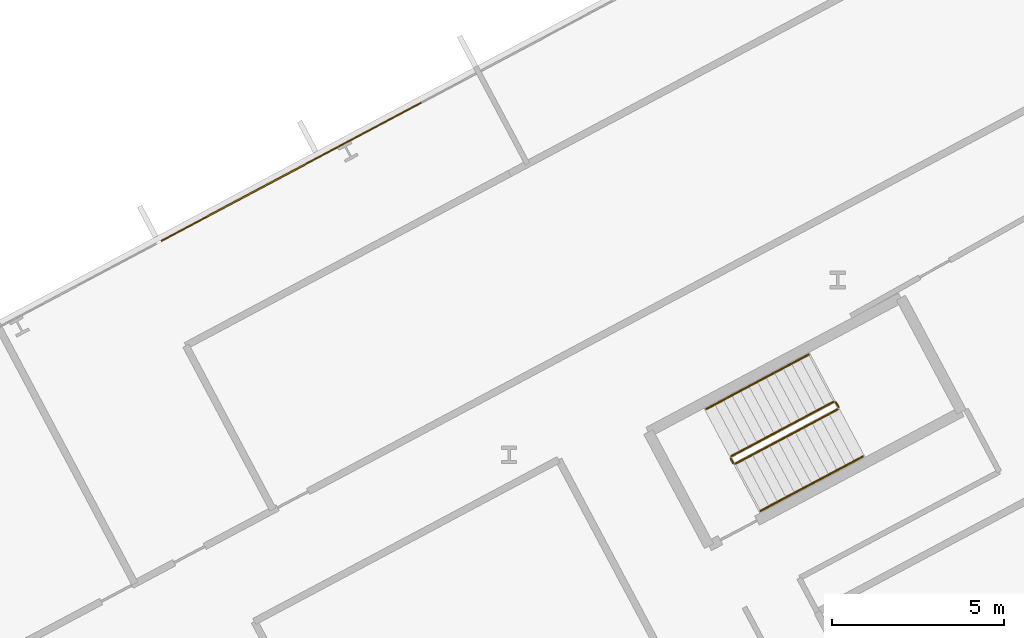
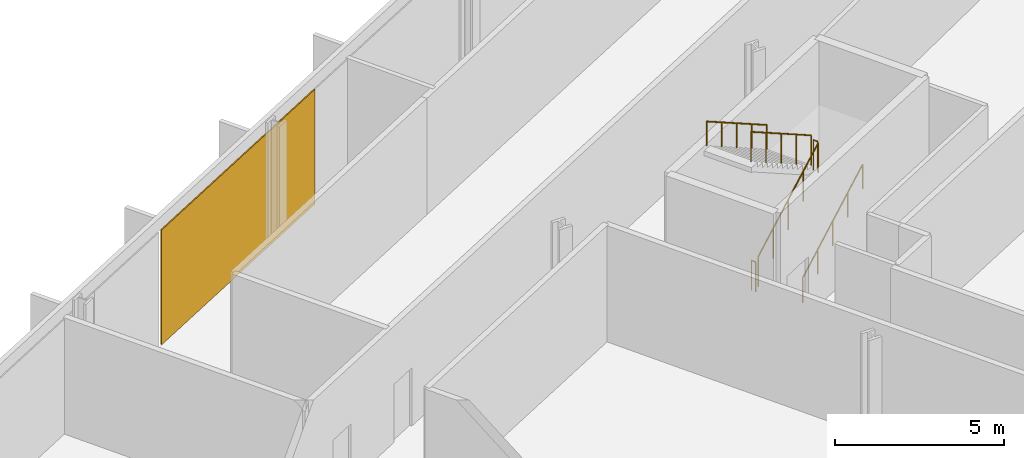
# One storey, part 30 of 31: 6 railings, 1 covering, 1 element without a shape of its own.
"""IFC4 building model written with IfcOpenShell, lengths in metres."""

from ifc_helpers import new_model, si_unit, direction, frame, origin, origin_2d, place, context, subcontext, project, spatial, polyline, rectangle, outline, extrude, material, layer, layer_set, type_object, element, aggregate, save


model = new_model("IFC4")

# Units and contexts
model_context = context("Model", 3, precision=1e-05, world=origin(), true_north=direction((0.0, 1.0)))
body_context = subcontext(model_context, "Body", "Model", "MODEL_VIEW")
ifc_project = project(units=[si_unit("LENGTHUNIT", "METRE"), si_unit("AREAUNIT", "SQUARE_METRE"), si_unit("VOLUMEUNIT", "CUBIC_METRE"), si_unit("PLANEANGLEUNIT", "RADIAN"), si_unit("MASSUNIT", "GRAM", prefix="KILO")], contexts=[model_context])

# Site, building, storey
site_placement = place(None, origin())
site = spatial("IfcSite", under=ifc_project, at=site_placement, CompositionType="ELEMENT")
building_placement = place(site_placement, origin())
building = spatial("IfcBuilding", under=site, at=building_placement, Name="Cormorant Relay Tower", CompositionType="ELEMENT")
storey_placement = place(building_placement, frame((0.0, 0.0, 98.39990234375)))
storey = spatial("IfcBuildingStorey", under=building, at=storey_placement, Name="L19", CompositionType="ELEMENT", Elevation=98.39990234375)

# Curtain wall, covering
ifc_material_1 = material(Name="Aluminium 6063-T6 anodised bronze", Category="aluminium")
ifc_layer_1 = layer(ifc_material_1, 0.199951171875)
ifc_layer_set_1 = layer_set([ifc_layer_1], Name="CW1 unitised bronze curtain wall with vertical fins")
curtain_wall_type = type_object("IfcCurtainWallType", Name="CW1 unitised bronze curtain wall with vertical fins", PredefinedType="NOTDEFINED", material=ifc_layer_set_1)
curtain_wall_placement = place(storey_placement, origin())
curtain_wall = element("IfcCurtainWall", 1, at=curtain_wall_placement, inside=storey, type_object=curtain_wall_type, Name="CW1 curtain wall 6", PredefinedType="NOTDEFINED")
ifc_material_2 = material(Name="Pale bronze anodised aluminium insulated panel", Category="aluminium")
ifc_layer_2 = layer(ifc_material_2, 0.0400390625)
ifc_layer_set_2 = layer_set([ifc_layer_2], Name="CW1 pale bronze insulated panel 40")
covering_type = type_object("IfcCoveringType", Name="CW1 pale bronze insulated panel 40", PredefinedType="CLADDING", material=ifc_layer_set_2)
covering_placement = place(storey_placement, frame((31.69140625, 40.6572265625, 0.000244140625), z_axis=(0.0, 0.0, 1.0), x_axis=(-0.882947592859, -0.469471562786, 0.0)))
covering = element("IfcCovering", 2, at=covering_placement, type_object=covering_type, Name="CW1 panel S04", PredefinedType="CLADDING", context=body_context, shape_type="SweptSolid", body=[
    extrude(rectangle(XDim=8.565185546875, YDim=0.0400390625, at=origin_2d()), origin(), (0.0, 0.0, 1.0), 4.14990234375),
])
aggregate(curtain_wall, [covering])

# Railings
ifc_material_3 = material(Name="Steel ASTM A572 Grade 50 (Fy 345 MPa)", Category="steel")
railing_type_1 = type_object("IfcRailingType", Name="Stair guard 1100", PredefinedType="GUARDRAIL", material=ifc_material_3)
railing_1_placement = place(storey_placement, frame((44.583740234375, 32.186279296875, 0.177001953125)))
element("IfcRailing", 3, at=railing_1_placement, inside=storey, type_object=railing_type_1, Name="L19 RB1 stair guard 1", PredefinedType="GUARDRAIL", context=body_context, shape_type="SweptSolid", body=[
    extrude(outline(polyline([(0.022216796875, 0.00927734375), (0.00927734375, 0.022216796875), (-0.00927734375, 0.022216796875), (-0.022216796875, 0.00927734375), (-0.022216796875, -0.00927734375), (-0.00927734375, -0.022216796875), (0.00927734375, -0.022216796875), (0.022216796875, -0.00927734375), (0.022216796875, 0.00927734375)])), frame((0.0, 0.0, 1.076171875), z_axis=(0.746422470992, 0.396920836698, 0.534141689248), x_axis=(-0.469509342547, 0.882927503967, 0.0)), (0.0, 0.0, 1.0), 3.974609375),
    extrude(outline(polyline([(0.019287109375, 0.008056640625), (0.008056640625, 0.019287109375), (-0.008056640625, 0.019287109375), (-0.019287109375, 0.008056640625), (-0.019287109375, -0.008056640625), (-0.008056640625, -0.019287109375), (0.008056640625, -0.019287109375), (0.019287109375, -0.008056640625), (0.019287109375, 0.008056640625)])), origin(), (0.0, 0.0, 1.0), 1.052001953125),
    extrude(outline(polyline([(0.019287109375, 0.008056640625), (0.008056640625, 0.019287109375), (-0.008056640625, 0.019287109375), (-0.019287109375, 0.008056640625), (-0.019287109375, -0.008056640625), (-0.008056640625, -0.019287109375), (0.008056640625, -0.019287109375), (0.019287109375, -0.008056640625), (0.019287109375, 0.008056640625)])), frame((0.74169921875, 0.39453125, 0.53076171875)), (0.0, 0.0, 1.0), 1.052001953125),
    extrude(outline(polyline([(0.019287109375, 0.008056640625), (0.008056640625, 0.019287109375), (-0.008056640625, 0.019287109375), (-0.019287109375, 0.008056640625), (-0.019287109375, -0.008056640625), (-0.008056640625, -0.019287109375), (0.008056640625, -0.019287109375), (0.019287109375, -0.008056640625), (0.019287109375, 0.008056640625)])), frame((1.4833984375, 0.788818359375, 1.0615234375)), (0.0, 0.0, 1.0), 1.052001953125),
    extrude(outline(polyline([(0.019287109375, 0.008056640625), (0.008056640625, 0.019287109375), (-0.008056640625, 0.019287109375), (-0.019287109375, 0.008056640625), (-0.019287109375, -0.008056640625), (-0.008056640625, -0.019287109375), (0.008056640625, -0.019287109375), (0.019287109375, -0.008056640625), (0.019287109375, 0.008056640625)])), frame((2.22509765625, 1.18310546875, 1.59228515625)), (0.0, 0.0, 1.0), 1.052001953125),
    extrude(outline(polyline([(0.019287109375, 0.008056640625), (0.008056640625, 0.019287109375), (-0.008056640625, 0.019287109375), (-0.019287109375, 0.008056640625), (-0.019287109375, -0.008056640625), (-0.008056640625, -0.019287109375), (0.008056640625, -0.019287109375), (0.019287109375, -0.008056640625), (0.019287109375, 0.008056640625)])), frame((2.966796875, 1.57763671875, 2.123046875)), (0.0, 0.0, 1.0), 1.052001953125),
])
railing_2_placement = place(storey_placement, frame((47.571044921875, 33.831298828125, 2.300048828125)))
element("IfcRailing", 4, at=railing_2_placement, inside=storey, type_object=railing_type_1, Name="L19 RB1 stair guard 2", PredefinedType="GUARDRAIL", context=body_context, shape_type="SweptSolid", body=[
    extrude(outline(polyline([(0.022216796875, 0.00927734375), (0.00927734375, 0.022216796875), (-0.00927734375, 0.022216796875), (-0.022216796875, 0.00927734375), (-0.022216796875, -0.00927734375), (-0.00927734375, -0.022216796875), (0.00927734375, -0.022216796875), (0.022216796875, -0.00927734375), (0.022216796875, 0.00927734375)])), frame((0.0, 0.0, 1.076171875), z_axis=(-0.46856034887, 0.8834314911, 0.0), x_axis=(-0.8834314911, -0.46856034887, 0.0)), (0.0, 0.0, 1.0), 0.150146484375),
    extrude(outline(polyline([(0.019287109375, 0.008056640625), (0.008056640625, 0.019287109375), (-0.008056640625, 0.019287109375), (-0.019287109375, 0.008056640625), (-0.019287109375, -0.008056640625), (-0.008056640625, -0.019287109375), (0.008056640625, -0.019287109375), (0.019287109375, -0.008056640625), (0.019287109375, 0.008056640625)])), origin(), (0.0, 0.0, 1.0), 1.052001953125),
    extrude(outline(polyline([(0.019287109375, 0.008056640625), (0.008056640625, 0.019287109375), (-0.008056640625, 0.019287109375), (-0.019287109375, 0.008056640625), (-0.019287109375, -0.008056640625), (-0.008056640625, -0.019287109375), (0.008056640625, -0.019287109375), (0.019287109375, -0.008056640625), (0.019287109375, 0.008056640625)])), frame((-0.0703125, 0.132568359375, 0.0)), (0.0, 0.0, 1.0), 1.052001953125),
])
railing_3_placement = place(storey_placement, frame((47.43310546875, 33.984619140625, 2.47705078125)))
element("IfcRailing", 5, at=railing_3_placement, inside=storey, type_object=railing_type_1, Name="L19 RB1 stair guard 3", PredefinedType="GUARDRAIL", context=body_context, shape_type="SweptSolid", body=[
    extrude(outline(polyline([(0.022216796875, 0.00927734375), (0.00927734375, 0.022216796875), (-0.00927734375, 0.022216796875), (-0.022216796875, 0.00927734375), (-0.022216796875, -0.00927734375), (-0.00927734375, -0.022216796875), (0.00927734375, -0.022216796875), (0.022216796875, -0.00927734375), (0.022216796875, 0.00927734375)])), frame((0.0, 0.0, 1.076171875), z_axis=(-0.746440668329, -0.396869088057, 0.534154711306), x_axis=(0.46945269911, -0.882957622595, 0.0)), (0.0, 0.0, 1.0), 3.974609375),
    extrude(outline(polyline([(0.019287109375, 0.008056640625), (0.008056640625, 0.019287109375), (-0.008056640625, 0.019287109375), (-0.019287109375, 0.008056640625), (-0.019287109375, -0.008056640625), (-0.008056640625, -0.019287109375), (0.008056640625, -0.019287109375), (0.019287109375, -0.008056640625), (0.019287109375, 0.008056640625)])), origin(), (0.0, 0.0, 1.0), 1.052001953125),
    extrude(outline(polyline([(0.019287109375, 0.008056640625), (0.008056640625, 0.019287109375), (-0.008056640625, 0.019287109375), (-0.019287109375, 0.008056640625), (-0.019287109375, -0.008056640625), (-0.008056640625, -0.019287109375), (0.008056640625, -0.019287109375), (0.019287109375, -0.008056640625), (0.019287109375, 0.008056640625)])), frame((-0.74169921875, -0.394287109375, 0.53076171875)), (0.0, 0.0, 1.0), 1.052001953125),
    extrude(outline(polyline([(0.019287109375, 0.008056640625), (0.008056640625, 0.019287109375), (-0.008056640625, 0.019287109375), (-0.019287109375, 0.008056640625), (-0.019287109375, -0.008056640625), (-0.008056640625, -0.019287109375), (0.008056640625, -0.019287109375), (0.019287109375, -0.008056640625), (0.019287109375, 0.008056640625)])), frame((-1.4833984375, -0.78857421875, 1.0615234375)), (0.0, 0.0, 1.0), 1.052001953125),
    extrude(outline(polyline([(0.019287109375, 0.008056640625), (0.008056640625, 0.019287109375), (-0.008056640625, 0.019287109375), (-0.019287109375, 0.008056640625), (-0.019287109375, -0.008056640625), (-0.008056640625, -0.019287109375), (0.008056640625, -0.019287109375), (0.019287109375, -0.008056640625), (0.019287109375, 0.008056640625)])), frame((-2.22509765625, -1.18310546875, 1.59228515625)), (0.0, 0.0, 1.0), 1.052001953125),
    extrude(outline(polyline([(0.019287109375, 0.008056640625), (0.008056640625, 0.019287109375), (-0.008056640625, 0.019287109375), (-0.019287109375, 0.008056640625), (-0.019287109375, -0.008056640625), (-0.008056640625, -0.019287109375), (0.008056640625, -0.019287109375), (0.019287109375, -0.008056640625), (0.019287109375, 0.008056640625)])), frame((-2.966796875, -1.577392578125, 2.123046875)), (0.0, 0.0, 1.0), 1.052001953125),
])
railing_4_placement = place(storey_placement, frame((44.51611328125, 32.20703125, 0.0)))
element("IfcRailing", 6, at=railing_4_placement, inside=storey, type_object=railing_type_1, Name="L19 RB1 stair guard 4", PredefinedType="GUARDRAIL", context=body_context, shape_type="SweptSolid", body=[
    extrude(outline(polyline([(0.022216796875, 0.00927734375), (0.00927734375, 0.022216796875), (-0.00927734375, 0.022216796875), (-0.022216796875, 0.00927734375), (-0.022216796875, -0.00927734375), (-0.00927734375, -0.022216796875), (0.00927734375, -0.022216796875), (0.022216796875, -0.00927734375), (0.022216796875, 0.00927734375)])), frame((0.0, 0.0, 1.076171875), z_axis=(-0.46856034887, 0.8834314911, 0.0), x_axis=(-0.8834314911, -0.46856034887, 0.0)), (0.0, 0.0, 1.0), 0.150146484375),
    extrude(outline(polyline([(0.019287109375, 0.008056640625), (0.008056640625, 0.019287109375), (-0.008056640625, 0.019287109375), (-0.019287109375, 0.008056640625), (-0.019287109375, -0.008056640625), (-0.008056640625, -0.019287109375), (0.008056640625, -0.019287109375), (0.019287109375, -0.008056640625), (0.019287109375, 0.008056640625)])), origin(), (0.0, 0.0, 1.0), 1.052001953125),
    extrude(outline(polyline([(0.019287109375, 0.008056640625), (0.008056640625, 0.019287109375), (-0.008056640625, 0.019287109375), (-0.019287109375, 0.008056640625), (-0.019287109375, -0.008056640625), (-0.008056640625, -0.019287109375), (0.008056640625, -0.019287109375), (0.019287109375, -0.008056640625), (0.019287109375, 0.008056640625)])), frame((-0.0703125, 0.132568359375, 0.0)), (0.0, 0.0, 1.0), 1.052001953125),
])
ifc_material_4 = material(Name="Steel ASTM A572 Grade 50 (Fy 345 MPa)", Category="steel")
railing_type_2 = type_object("IfcRailingType", Name="Stair handrail 900", PredefinedType="HANDRAIL", material=ifc_material_4)
railing_5_placement = place(storey_placement, frame((45.3115234375, 30.81787109375, 0.177001953125)))
element("IfcRailing", 7, at=railing_5_placement, inside=storey, type_object=railing_type_2, Name="L19 RB1 stair handrail 1", PredefinedType="HANDRAIL", context=body_context, shape_type="SweptSolid", body=[
    extrude(outline(polyline([(0.022216796875, 0.00927734375), (0.00927734375, 0.022216796875), (-0.00927734375, 0.022216796875), (-0.022216796875, 0.00927734375), (-0.022216796875, -0.00927734375), (-0.00927734375, -0.022216796875), (0.00927734375, -0.022216796875), (0.022216796875, -0.00927734375), (0.022216796875, 0.00927734375)])), frame((0.0, 0.0, 0.8759765625), z_axis=(0.746413465702, 0.396887285154, 0.534179203172), x_axis=(-0.469482818608, 0.88294160794, 0.0)), (0.0, 0.0, 1.0), 3.974365234375),
    extrude(outline(polyline([(0.019287109375, 0.008056640625), (0.008056640625, 0.019287109375), (-0.008056640625, 0.019287109375), (-0.019287109375, 0.008056640625), (-0.019287109375, -0.008056640625), (-0.008056640625, -0.019287109375), (0.008056640625, -0.019287109375), (0.019287109375, -0.008056640625), (0.019287109375, 0.008056640625)])), origin(), (0.0, 0.0, 1.0), 0.851806640625),
    extrude(outline(polyline([(0.019287109375, 0.008056640625), (0.008056640625, 0.019287109375), (-0.008056640625, 0.019287109375), (-0.019287109375, 0.008056640625), (-0.019287109375, -0.008056640625), (-0.008056640625, -0.019287109375), (0.008056640625, -0.019287109375), (0.019287109375, -0.008056640625), (0.019287109375, 0.008056640625)])), frame((0.74169921875, 0.394287109375, 0.53076171875)), (0.0, 0.0, 1.0), 0.851806640625),
    extrude(outline(polyline([(0.019287109375, 0.008056640625), (0.008056640625, 0.019287109375), (-0.008056640625, 0.019287109375), (-0.019287109375, 0.008056640625), (-0.019287109375, -0.008056640625), (-0.008056640625, -0.019287109375), (0.008056640625, -0.019287109375), (0.019287109375, -0.008056640625), (0.019287109375, 0.008056640625)])), frame((1.4833984375, 0.78857421875, 1.0615234375)), (0.0, 0.0, 1.0), 0.851806640625),
    extrude(outline(polyline([(0.019287109375, 0.008056640625), (0.008056640625, 0.019287109375), (-0.008056640625, 0.019287109375), (-0.019287109375, 0.008056640625), (-0.019287109375, -0.008056640625), (-0.008056640625, -0.019287109375), (0.008056640625, -0.019287109375), (0.019287109375, -0.008056640625), (0.019287109375, 0.008056640625)])), frame((2.224853515625, 1.18310546875, 1.59228515625)), (0.0, 0.0, 1.0), 0.851806640625),
    extrude(outline(polyline([(0.019287109375, 0.008056640625), (0.008056640625, 0.019287109375), (-0.008056640625, 0.019287109375), (-0.019287109375, 0.008056640625), (-0.019287109375, -0.008056640625), (-0.008056640625, -0.019287109375), (0.008056640625, -0.019287109375), (0.019287109375, -0.008056640625), (0.019287109375, 0.008056640625)])), frame((2.966552734375, 1.577392578125, 2.123046875)), (0.0, 0.0, 1.0), 0.851806640625),
])
railing_6_placement = place(storey_placement, frame((46.705322265625, 35.35302734375, 2.47705078125)))
element("IfcRailing", 8, at=railing_6_placement, inside=storey, type_object=railing_type_2, Name="L19 RB1 stair handrail 2", PredefinedType="HANDRAIL", context=body_context, shape_type="SweptSolid", body=[
    extrude(outline(polyline([(0.022216796875, 0.00927734375), (0.00927734375, 0.022216796875), (-0.00927734375, 0.022216796875), (-0.022216796875, 0.00927734375), (-0.022216796875, -0.00927734375), (-0.00927734375, -0.022216796875), (0.00927734375, -0.022216796875), (0.022216796875, -0.00927734375), (0.022216796875, 0.00927734375)])), frame((0.0, 0.0, 0.8759765625), z_axis=(-0.746413465702, -0.396887285154, 0.534179203172), x_axis=(0.469482818608, -0.88294160794, 0.0)), (0.0, 0.0, 1.0), 3.974365234375),
    extrude(outline(polyline([(0.019287109375, 0.008056640625), (0.008056640625, 0.019287109375), (-0.008056640625, 0.019287109375), (-0.019287109375, 0.008056640625), (-0.019287109375, -0.008056640625), (-0.008056640625, -0.019287109375), (0.008056640625, -0.019287109375), (0.019287109375, -0.008056640625), (0.019287109375, 0.008056640625)])), origin(), (0.0, 0.0, 1.0), 0.851806640625),
    extrude(outline(polyline([(0.019287109375, 0.008056640625), (0.008056640625, 0.019287109375), (-0.008056640625, 0.019287109375), (-0.019287109375, 0.008056640625), (-0.019287109375, -0.008056640625), (-0.008056640625, -0.019287109375), (0.008056640625, -0.019287109375), (0.019287109375, -0.008056640625), (0.019287109375, 0.008056640625)])), frame((-0.74169921875, -0.394287109375, 0.53076171875)), (0.0, 0.0, 1.0), 0.851806640625),
    extrude(outline(polyline([(0.019287109375, 0.008056640625), (0.008056640625, 0.019287109375), (-0.008056640625, 0.019287109375), (-0.019287109375, 0.008056640625), (-0.019287109375, -0.008056640625), (-0.008056640625, -0.019287109375), (0.008056640625, -0.019287109375), (0.019287109375, -0.008056640625), (0.019287109375, 0.008056640625)])), frame((-1.4833984375, -0.78857421875, 1.0615234375)), (0.0, 0.0, 1.0), 0.851806640625),
    extrude(outline(polyline([(0.019287109375, 0.008056640625), (0.008056640625, 0.019287109375), (-0.008056640625, 0.019287109375), (-0.019287109375, 0.008056640625), (-0.019287109375, -0.008056640625), (-0.008056640625, -0.019287109375), (0.008056640625, -0.019287109375), (0.019287109375, -0.008056640625), (0.019287109375, 0.008056640625)])), frame((-2.224853515625, -1.18310546875, 1.59228515625)), (0.0, 0.0, 1.0), 0.851806640625),
    extrude(outline(polyline([(0.019287109375, 0.008056640625), (0.008056640625, 0.019287109375), (-0.008056640625, 0.019287109375), (-0.019287109375, 0.008056640625), (-0.019287109375, -0.008056640625), (-0.008056640625, -0.019287109375), (0.008056640625, -0.019287109375), (0.019287109375, -0.008056640625), (0.019287109375, 0.008056640625)])), frame((-2.966552734375, -1.577392578125, 2.123046875)), (0.0, 0.0, 1.0), 0.851806640625),
])

save(model, "model.ifc")
